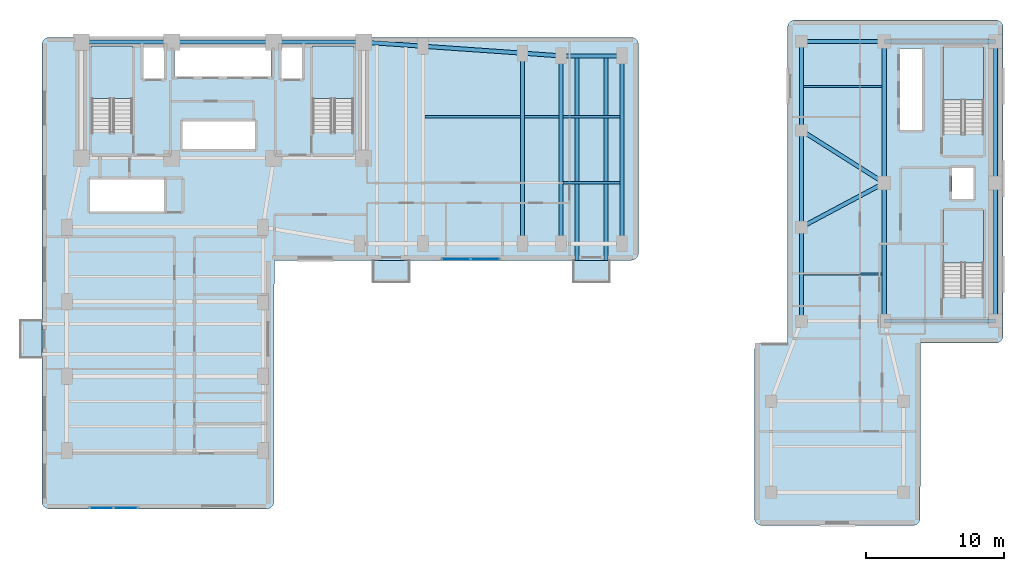
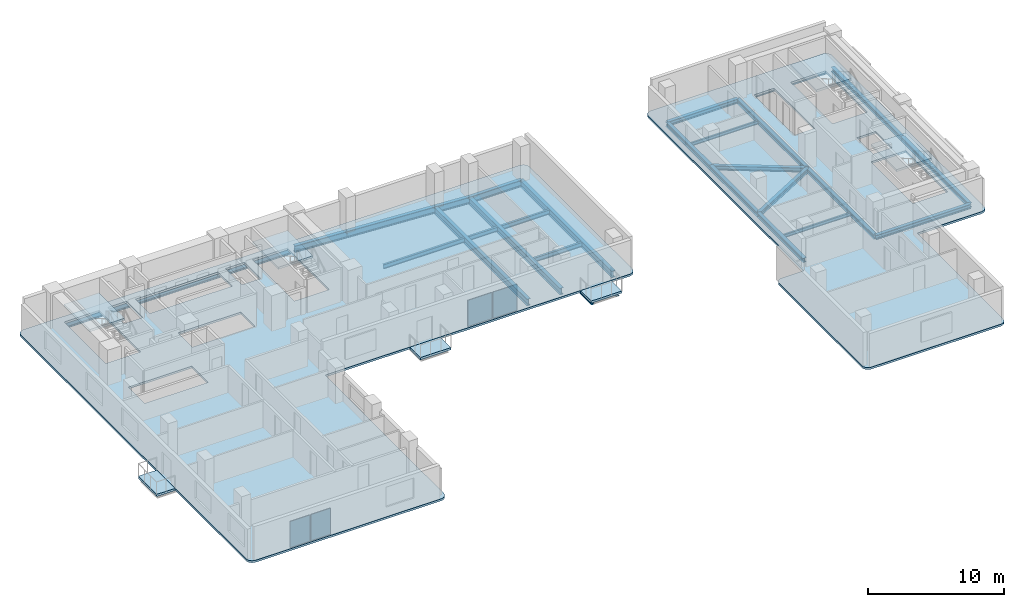
# One storey, part 7 of 14: 30 beams, 9 slabs, 4 plates, 6 elements without a shape of their own.
"""IFC4 building model written with IfcOpenShell, lengths in metres."""

from ifc_helpers import new_model, si_unit, direction, frame, origin, origin_2d, place, context, subcontext, project, spatial, polyline, rectangle, i_section, outline, extrude, material, layer, layer_set, material_profile, profile_set, type_object, element, aggregate, save


model = new_model("IFC4")

# Units and contexts
model_context = context("Model", 3, precision=1e-05, world=origin(), true_north=direction((0.0, 1.0)))
body_context = subcontext(model_context, "Body", "Model", "MODEL_VIEW")
ifc_project = project(units=[si_unit("LENGTHUNIT", "METRE"), si_unit("AREAUNIT", "SQUARE_METRE"), si_unit("VOLUMEUNIT", "CUBIC_METRE"), si_unit("PLANEANGLEUNIT", "RADIAN"), si_unit("MASSUNIT", "GRAM", prefix="KILO")], contexts=[model_context])

# Site, building, storey
site_placement = place(None, origin())
site = spatial("IfcSite", under=ifc_project, at=site_placement, CompositionType="ELEMENT")
building_placement = place(site_placement, origin())
building = spatial("IfcBuilding", under=site, at=building_placement, Name="Kuzgunbayir Cultural Tower", CompositionType="ELEMENT")
storey_placement = place(building_placement, frame((0.0, 0.0, 69.199951171875)))
storey = spatial("IfcBuildingStorey", under=building, at=storey_placement, Name="L19", CompositionType="ELEMENT", Elevation=69.199951171875)

# Beams
ifc_material_1 = material(Name="Steel S355J2", Category="steel")
ifc_material_profile_1 = material_profile(ifc_material_1, i_section(OverallWidth=0.280029296875, OverallDepth=0.280029296875, WebThickness=0.010498046875, FlangeThickness=0.01806640625, FilletRadius=0.02392578125, at=origin_2d()), Name="HEB 280")
ifc_profile_set_1 = profile_set([ifc_material_profile_1], Name="Steel S355J2")
beam_type_1 = type_object("IfcBeamType", Name="BM-BAL-HEB280", PredefinedType="BEAM", material=ifc_profile_set_1)
for number, where, z_axis, x_axis, name in (
    (1, (42.35009765625, 24.9599609375, -0.33984375), (0.0, 1.0, 0.0), (-1.0, 0.0, 0.0), "L19 Balcony Outrigger Beam BAL-L19-WB3.1"),
    (2, (44.449951171875, 24.9599609375, -0.33984375), (0.0, 1.0, 0.0), (-1.0, 0.0, 0.0), "L19 Balcony Outrigger Beam BAL-L19-WB3.2"),
):
    element("IfcBeam", number, at=place(storey_placement, frame(where, z_axis=z_axis, x_axis=x_axis)), inside=storey, type_object=beam_type_1, Name=name, PredefinedType="BEAM", context=body_context, shape_type="SweptSolid", body=[
        extrude(i_section(OverallWidth=0.280029296875, OverallDepth=0.280029296875, WebThickness=0.010498046875, FlangeThickness=0.01806640625, FilletRadius=0.02392578125, at=origin_2d()), origin(), (0.0, 0.0, 1.0), 16.239990234375),
    ])
ifc_material_profile_2 = material_profile(ifc_material_1, i_section(OverallWidth=0.300048828125, OverallDepth=0.39990234375, WebThickness=0.013427734375, FlangeThickness=0.02392578125, FilletRadius=0.027099609375, at=origin_2d()), Name="HEB 400")
ifc_profile_set_2 = profile_set([ifc_material_profile_2], Name="Steel S355J2")
beam_type_2 = type_object("IfcBeamType", Name="BM-EXT-HEB400", PredefinedType="BEAM", material=ifc_profile_set_2)
beam_1_placement = place(storey_placement, frame((58.60009765625, 22.0, -0.3798828125), z_axis=(0.0, 1.0, 0.0), x_axis=(-1.0, 0.0, 0.0)))
element("IfcBeam", 3, at=beam_1_placement, inside=storey, type_object=beam_type_2, Name="L19 Companion West Girder", PredefinedType="BEAM", context=body_context, shape_type="SweptSolid", body=[
    extrude(i_section(OverallWidth=0.300048828125, OverallDepth=0.39990234375, WebThickness=0.013427734375, FlangeThickness=0.02392578125, FilletRadius=0.027099609375, at=origin_2d()), origin(), (0.0, 0.0, 1.0), 6.800048828125),
])
beam_2_placement = place(storey_placement, frame((58.60009765625, 28.800048828125, -0.3798828125), z_axis=(0.0, 1.0, 0.0), x_axis=(-1.0, 0.0, 0.0)))
element("IfcBeam", 4, at=beam_2_placement, inside=storey, type_object=beam_type_2, Name="L19 Companion West Girder", PredefinedType="BEAM", context=body_context, shape_type="SweptSolid", body=[
    extrude(i_section(OverallWidth=0.300048828125, OverallDepth=0.39990234375, WebThickness=0.013427734375, FlangeThickness=0.02392578125, FilletRadius=0.027099609375, at=origin_2d()), origin(), (0.0, 0.0, 1.0), 7.0),
])
beam_3_placement = place(storey_placement, frame((58.60009765625, 35.800048828125, -0.3798828125), z_axis=(0.0, 1.0, 0.0), x_axis=(-1.0, 0.0, 0.0)))
element("IfcBeam", 5, at=beam_3_placement, inside=storey, type_object=beam_type_2, Name="L19 Companion West Girder", PredefinedType="BEAM", context=body_context, shape_type="SweptSolid", body=[
    extrude(i_section(OverallWidth=0.300048828125, OverallDepth=0.39990234375, WebThickness=0.013427734375, FlangeThickness=0.02392578125, FilletRadius=0.027099609375, at=origin_2d()), origin(), (0.0, 0.0, 1.0), 6.449951171875),
])
ifc_material_profile_3 = material_profile(ifc_material_1, i_section(OverallWidth=0.300048828125, OverallDepth=0.60009765625, WebThickness=0.015380859375, FlangeThickness=0.030029296875, FilletRadius=0.027099609375, at=origin_2d()), Name="HEB 600")
ifc_profile_set_3 = profile_set([ifc_material_profile_3], Name="Steel S355J2")
beam_type_3 = type_object("IfcBeamType", Name="BM-EXT-HEB600", PredefinedType="BEAM", material=ifc_profile_set_3)
beam_4_placement = place(storey_placement, frame((26.89990234375, 42.199951171875, -0.47998046875), z_axis=(0.997574369175, -0.069608749203, 0.0), x_axis=(0.069608749203, 0.997574369175, 0.0)))
element("IfcBeam", 6, at=beam_4_placement, inside=storey, type_object=beam_type_3, Name="L19 Wing B North Girder 1", PredefinedType="BEAM", context=body_context, shape_type="SweptSolid", body=[
    extrude(i_section(OverallWidth=0.300048828125, OverallDepth=0.60009765625, WebThickness=0.015380859375, FlangeThickness=0.030029296875, FilletRadius=0.027099609375, at=origin_2d()), origin(), (0.0, 0.0, 1.0), 4.310546875),
])
beam_5_placement = place(storey_placement, frame((31.199951171875, 41.89990234375, -0.47998046875), z_axis=(0.997597388498, -0.069278066245, 0.0), x_axis=(0.069278066245, 0.997597388498, 0.0)))
element("IfcBeam", 7, at=beam_5_placement, inside=storey, type_object=beam_type_3, Name="L19 Wing B North Girder 2", PredefinedType="BEAM", context=body_context, shape_type="SweptSolid", body=[
    extrude(i_section(OverallWidth=0.300048828125, OverallDepth=0.60009765625, WebThickness=0.015380859375, FlangeThickness=0.030029296875, FilletRadius=0.027099609375, at=origin_2d()), origin(), (0.0, 0.0, 1.0), 7.21728515625),
])
beam_6_placement = place(storey_placement, frame((38.39990234375, 41.39990234375, -0.47998046875), z_axis=(0.997460024076, -0.071228508128, 0.0), x_axis=(0.071228508128, 0.997460024076, 0.0)))
element("IfcBeam", 8, at=beam_6_placement, inside=storey, type_object=beam_type_3, Name="L19 Wing B North Girder 3", PredefinedType="BEAM", context=body_context, shape_type="SweptSolid", body=[
    extrude(i_section(OverallWidth=0.300048828125, OverallDepth=0.60009765625, WebThickness=0.015380859375, FlangeThickness=0.030029296875, FilletRadius=0.027099609375, at=origin_2d()), origin(), (0.0, 0.0, 1.0), 2.80712890625),
])
beam_7_placement = place(storey_placement, frame((41.199951171875, 41.199951171875, -0.47998046875), z_axis=(1.0, 0.0, 0.0), x_axis=(0.0, 1.0, 0.0)))
element("IfcBeam", 9, at=beam_7_placement, inside=storey, type_object=beam_type_3, Name="L19 Wing B North Girder 4", PredefinedType="BEAM", context=body_context, shape_type="SweptSolid", body=[
    extrude(i_section(OverallWidth=0.300048828125, OverallDepth=0.60009765625, WebThickness=0.015380859375, FlangeThickness=0.030029296875, FilletRadius=0.027099609375, at=origin_2d()), origin(), (0.0, 0.0, 1.0), 4.400146484375),
])
ifc_material_profile_4 = material_profile(ifc_material_1, i_section(OverallWidth=0.300048828125, OverallDepth=0.39990234375, WebThickness=0.013427734375, FlangeThickness=0.02392578125, FilletRadius=0.027099609375, at=origin_2d()), Name="HEB 400")
ifc_profile_set_4 = profile_set([ifc_material_profile_4], Name="Steel S355J2")
beam_type_4 = type_object("IfcBeamType", Name="BM-GIR-HEB400", PredefinedType="BEAM", material=ifc_profile_set_4)
beam_8_placement = place(storey_placement, frame((58.60009765625, 28.800048828125, -0.3798828125), z_axis=(0.882355922736, 0.470582644828, 0.0), x_axis=(-0.470582644828, 0.882355922736, 0.0)))
element("IfcBeam", 10, at=beam_8_placement, inside=storey, type_object=beam_type_4, Name="L19 Companion Transverse Girder 2", PredefinedType="BEAM", context=body_context, shape_type="SweptSolid", body=[
    extrude(i_section(OverallWidth=0.300048828125, OverallDepth=0.39990234375, WebThickness=0.013427734375, FlangeThickness=0.02392578125, FilletRadius=0.027099609375, at=origin_2d()), origin(), (0.0, 0.0, 1.0), 6.800048828125),
])
beam_9_placement = place(storey_placement, frame((58.60009765625, 35.800048828125, -0.3798828125), z_axis=(0.844815967829, -0.535056988088, 0.0), x_axis=(0.535056988088, 0.844815967829, 0.0)))
element("IfcBeam", 11, at=beam_9_placement, inside=storey, type_object=beam_type_4, Name="L19 Companion Transverse Girder 3", PredefinedType="BEAM", context=body_context, shape_type="SweptSolid", body=[
    extrude(i_section(OverallWidth=0.300048828125, OverallDepth=0.39990234375, WebThickness=0.013427734375, FlangeThickness=0.02392578125, FilletRadius=0.027099609375, at=origin_2d()), origin(), (0.0, 0.0, 1.0), 7.10205078125),
])
beam_10_placement = place(storey_placement, frame((58.60009765625, 42.25, -0.3798828125), z_axis=(1.0, 0.0, 0.0), x_axis=(0.0, 1.0, 0.0)))
element("IfcBeam", 12, at=beam_10_placement, inside=storey, type_object=beam_type_4, Name="L19 Companion Transverse Girder 4", PredefinedType="BEAM", context=body_context, shape_type="SweptSolid", body=[
    extrude(i_section(OverallWidth=0.300048828125, OverallDepth=0.39990234375, WebThickness=0.013427734375, FlangeThickness=0.02392578125, FilletRadius=0.027099609375, at=origin_2d()), origin(), (0.0, 0.0, 1.0), 6.0),
])
beam_11_placement = place(storey_placement, frame((64.60009765625, 22.0, -0.3798828125), z_axis=(0.0, 1.0, 0.0), x_axis=(-1.0, 0.0, 0.0)))
element("IfcBeam", 13, at=beam_11_placement, inside=storey, type_object=beam_type_4, Name="L19 Companion Core West Girder 1", PredefinedType="BEAM", context=body_context, shape_type="SweptSolid", body=[
    extrude(i_section(OverallWidth=0.300048828125, OverallDepth=0.39990234375, WebThickness=0.013427734375, FlangeThickness=0.02392578125, FilletRadius=0.027099609375, at=origin_2d()), origin(), (0.0, 0.0, 1.0), 10.0),
])
beam_12_placement = place(storey_placement, frame((64.60009765625, 32.0, -0.3798828125), z_axis=(0.0, 1.0, 0.0), x_axis=(-1.0, 0.0, 0.0)))
element("IfcBeam", 14, at=beam_12_placement, inside=storey, type_object=beam_type_4, Name="L19 Companion Core West Girder 2", PredefinedType="BEAM", context=body_context, shape_type="SweptSolid", body=[
    extrude(i_section(OverallWidth=0.300048828125, OverallDepth=0.39990234375, WebThickness=0.013427734375, FlangeThickness=0.02392578125, FilletRadius=0.027099609375, at=origin_2d()), origin(), (0.0, 0.0, 1.0), 10.25),
])
beam_13_placement = place(storey_placement, frame((72.64990234375, 22.0, -0.3798828125), z_axis=(0.0, 1.0, 0.0), x_axis=(-1.0, 0.0, 0.0)))
element("IfcBeam", 15, at=beam_13_placement, inside=storey, type_object=beam_type_4, Name="L19 Companion Core East Girder 1", PredefinedType="BEAM", context=body_context, shape_type="SweptSolid", body=[
    extrude(i_section(OverallWidth=0.300048828125, OverallDepth=0.39990234375, WebThickness=0.013427734375, FlangeThickness=0.02392578125, FilletRadius=0.027099609375, at=origin_2d()), origin(), (0.0, 0.0, 1.0), 10.0),
])
beam_14_placement = place(storey_placement, frame((72.64990234375, 32.0, -0.3798828125), z_axis=(0.0, 1.0, 0.0), x_axis=(-1.0, 0.0, 0.0)))
element("IfcBeam", 16, at=beam_14_placement, inside=storey, type_object=beam_type_4, Name="L19 Companion Core East Girder 2", PredefinedType="BEAM", context=body_context, shape_type="SweptSolid", body=[
    extrude(i_section(OverallWidth=0.300048828125, OverallDepth=0.39990234375, WebThickness=0.013427734375, FlangeThickness=0.02392578125, FilletRadius=0.027099609375, at=origin_2d()), origin(), (0.0, 0.0, 1.0), 10.25),
])
for number, where, z_axis, x_axis, name in (
    (17, (64.60009765625, 22.0, -0.3798828125), (1.0, 0.0, 0.0), (0.0, 1.0, 0.0), "L19 Companion Core South Girder"),
    (18, (64.60009765625, 42.25, -0.3798828125), (1.0, 0.0, 0.0), (0.0, 1.0, 0.0), "L19 Companion Core North Girder"),
):
    element("IfcBeam", number, at=place(storey_placement, frame(where, z_axis=z_axis, x_axis=x_axis)), inside=storey, type_object=beam_type_4, Name=name, PredefinedType="BEAM", context=body_context, shape_type="SweptSolid", body=[
        extrude(i_section(OverallWidth=0.300048828125, OverallDepth=0.39990234375, WebThickness=0.013427734375, FlangeThickness=0.02392578125, FilletRadius=0.027099609375, at=origin_2d()), origin(), (0.0, 0.0, 1.0), 8.0498046875),
    ])
ifc_material_profile_5 = material_profile(ifc_material_1, i_section(OverallWidth=0.300048828125, OverallDepth=0.60009765625, WebThickness=0.015380859375, FlangeThickness=0.030029296875, FilletRadius=0.027099609375, at=origin_2d()), Name="HEB 600")
ifc_profile_set_5 = profile_set([ifc_material_profile_5], Name="Steel S355J2")
beam_type_5 = type_object("IfcBeamType", Name="BM-GIR-HEB600", PredefinedType="BEAM", material=ifc_profile_set_5)
beam_15_placement = place(storey_placement, frame((6.449951171875, 42.199951171875, -0.47998046875), z_axis=(1.0, 0.0, 0.0), x_axis=(0.0, 1.0, 0.0)))
element("IfcBeam", 19, at=beam_15_placement, inside=storey, type_object=beam_type_5, Name="L19 Core North Girder 1", PredefinedType="BEAM", context=body_context, shape_type="SweptSolid", body=[
    extrude(i_section(OverallWidth=0.300048828125, OverallDepth=0.60009765625, WebThickness=0.015380859375, FlangeThickness=0.030029296875, FilletRadius=0.027099609375, at=origin_2d()), origin(), (0.0, 0.0, 1.0), 6.550048828125),
])
beam_16_placement = place(storey_placement, frame((13.0, 42.199951171875, -0.47998046875), z_axis=(1.0, 0.0, 0.0), x_axis=(0.0, 1.0, 0.0)))
element("IfcBeam", 20, at=beam_16_placement, inside=storey, type_object=beam_type_5, Name="L19 Core North Girder 2", PredefinedType="BEAM", context=body_context, shape_type="SweptSolid", body=[
    extrude(i_section(OverallWidth=0.300048828125, OverallDepth=0.60009765625, WebThickness=0.015380859375, FlangeThickness=0.030029296875, FilletRadius=0.027099609375, at=origin_2d()), origin(), (0.0, 0.0, 1.0), 7.39990234375),
])
beam_17_placement = place(storey_placement, frame((20.39990234375, 42.199951171875, -0.47998046875), z_axis=(1.0, 0.0, 0.0), x_axis=(0.0, 1.0, 0.0)))
element("IfcBeam", 21, at=beam_17_placement, inside=storey, type_object=beam_type_5, Name="L19 Core North Girder 3", PredefinedType="BEAM", context=body_context, shape_type="SweptSolid", body=[
    extrude(i_section(OverallWidth=0.300048828125, OverallDepth=0.60009765625, WebThickness=0.015380859375, FlangeThickness=0.030029296875, FilletRadius=0.027099609375, at=origin_2d()), origin(), (0.0, 0.0, 1.0), 6.5),
])
beam_18_placement = place(storey_placement, frame((38.39990234375, 27.60009765625, -0.47998046875), z_axis=(0.0, 1.0, 0.0), x_axis=(-1.0, 0.0, 0.0)))
element("IfcBeam", 22, at=beam_18_placement, inside=storey, type_object=beam_type_5, Name="L19 Wing B Cross Girder 38", PredefinedType="BEAM", context=body_context, shape_type="SweptSolid", body=[
    extrude(i_section(OverallWidth=0.300048828125, OverallDepth=0.60009765625, WebThickness=0.015380859375, FlangeThickness=0.030029296875, FilletRadius=0.027099609375, at=origin_2d()), origin(), (0.0, 0.0, 1.0), 13.7998046875),
])
for number, where, z_axis, x_axis, name in (
    (23, (41.199951171875, 27.60009765625, -0.47998046875), (0.0, 1.0, 0.0), (-1.0, 0.0, 0.0), "L19 Wing B Cross Girder 41"),
    (24, (45.60009765625, 27.60009765625, -0.47998046875), (0.0, 1.0, 0.0), (-1.0, 0.0, 0.0), "L19 Wing B Cross Girder 45"),
):
    element("IfcBeam", number, at=place(storey_placement, frame(where, z_axis=z_axis, x_axis=x_axis)), inside=storey, type_object=beam_type_5, Name=name, PredefinedType="BEAM", context=body_context, shape_type="SweptSolid", body=[
        extrude(i_section(OverallWidth=0.300048828125, OverallDepth=0.60009765625, WebThickness=0.015380859375, FlangeThickness=0.030029296875, FilletRadius=0.027099609375, at=origin_2d()), origin(), (0.0, 0.0, 1.0), 13.599853515625),
    ])
ifc_material_profile_6 = material_profile(ifc_material_1, i_section(OverallWidth=0.14990234375, OverallDepth=0.300048828125, WebThickness=0.007080078125, FlangeThickness=0.0107421875, FilletRadius=0.014892578125, at=origin_2d()), Name="IPE 300")
ifc_profile_set_6 = profile_set([ifc_material_profile_6], Name="Steel S355J2")
beam_type_6 = type_object("IfcBeamType", Name="BM-JST-IPE300", PredefinedType="JOIST", material=ifc_profile_set_6)
for number, where, z_axis, x_axis, name in (
    (25, (58.75, 25.39990234375, -0.329833984375), (1.0, 0.0, 0.0), (0.0, 1.0, 0.0), "L19 Companion Joist"),
    (26, (58.75, 39.0, -0.329833984375), (1.0, 0.0, 0.0), (0.0, 1.0, 0.0), "L19 Companion Joist"),
):
    element("IfcBeam", number, at=place(storey_placement, frame(where, z_axis=z_axis, x_axis=x_axis)), inside=storey, type_object=beam_type_6, Name=name, PredefinedType="JOIST", context=body_context, shape_type="SweptSolid", body=[
        extrude(i_section(OverallWidth=0.14990234375, OverallDepth=0.300048828125, WebThickness=0.007080078125, FlangeThickness=0.0107421875, FilletRadius=0.014892578125, at=origin_2d()), origin(), (0.0, 0.0, 1.0), 5.699951171875),
    ])
ifc_material_profile_7 = material_profile(ifc_material_1, i_section(OverallWidth=0.179931640625, OverallDepth=0.39990234375, WebThickness=0.008544921875, FlangeThickness=0.013427734375, FilletRadius=0.02099609375, at=origin_2d()), Name="IPE 400")
ifc_profile_set_7 = profile_set([ifc_material_profile_7], Name="Steel S355J2")
beam_type_7 = type_object("IfcBeamType", Name="BM-JST-IPE400", PredefinedType="JOIST", material=ifc_profile_set_7)
beam_19_placement = place(storey_placement, frame((31.35009765625, 36.800048828125, -0.3798828125), z_axis=(1.0, 0.0, 0.0), x_axis=(0.0, 1.0, 0.0)))
element("IfcBeam", 27, at=beam_19_placement, inside=storey, type_object=beam_type_7, Name="L19 Wing B Secondary Joist 1.2", PredefinedType="JOIST", context=body_context, shape_type="SweptSolid", body=[
    extrude(i_section(OverallWidth=0.179931640625, OverallDepth=0.39990234375, WebThickness=0.008544921875, FlangeThickness=0.013427734375, FilletRadius=0.02099609375, at=origin_2d()), origin(), (0.0, 0.0, 1.0), 6.89990234375),
])
beam_20_placement = place(storey_placement, frame((38.550048828125, 36.800048828125, -0.3798828125), z_axis=(1.0, 0.0, 0.0), x_axis=(0.0, 1.0, 0.0)))
element("IfcBeam", 28, at=beam_20_placement, inside=storey, type_object=beam_type_7, Name="L19 Wing B Secondary Joist 2.2", PredefinedType="JOIST", context=body_context, shape_type="SweptSolid", body=[
    extrude(i_section(OverallWidth=0.179931640625, OverallDepth=0.39990234375, WebThickness=0.008544921875, FlangeThickness=0.013427734375, FilletRadius=0.02099609375, at=origin_2d()), origin(), (0.0, 0.0, 1.0), 2.5),
])
for number, where, z_axis, x_axis, name in (
    (29, (41.35009765625, 32.0, -0.3798828125), (1.0, 0.0, 0.0), (0.0, 1.0, 0.0), "L19 Wing B Secondary Joist 3.1"),
    (30, (41.35009765625, 36.800048828125, -0.3798828125), (1.0, 0.0, 0.0), (0.0, 1.0, 0.0), "L19 Wing B Secondary Joist 3.2"),
):
    element("IfcBeam", number, at=place(storey_placement, frame(where, z_axis=z_axis, x_axis=x_axis)), inside=storey, type_object=beam_type_7, Name=name, PredefinedType="JOIST", context=body_context, shape_type="SweptSolid", body=[
        extrude(i_section(OverallWidth=0.179931640625, OverallDepth=0.39990234375, WebThickness=0.008544921875, FlangeThickness=0.013427734375, FilletRadius=0.02099609375, at=origin_2d()), origin(), (0.0, 0.0, 1.0), 4.099853515625),
    ])

# Curtain wall, plates
ifc_material_2 = material(Name="Anodised Aluminium Framing", Category="aluminium")
curtain_wall_type = type_object("IfcCurtainWallType", Name="CW03-T1-OFFICE", PredefinedType="NOTDEFINED", material=ifc_material_2)
curtain_wall_1_placement = place(storey_placement, origin())
curtain_wall_1 = element("IfcCurtainWall", 31, at=curtain_wall_1_placement, inside=storey, type_object=curtain_wall_type, Name="L19 Wing A South Feature Curtain Wall", PredefinedType="NOTDEFINED")
ifc_material_3 = material(Name="Solar-Control Triple Glazing", Category="glass")
ifc_layer_1 = layer(ifc_material_3, 0.035888671875)
ifc_layer_set_1 = layer_set([ifc_layer_1], Name="Solar-Control Triple Glazing")
plate_type = type_object("IfcPlateType", Name="PLT-CW-GLASS-36", PredefinedType="CURTAIN_PANEL", material=ifc_layer_set_1)
plate_1_placement = place(storey_placement, frame((7.918701171875, 8.47998046875, 0.06005859375), z_axis=(0.0, 0.0, 1.0), x_axis=(1.0, 0.0, 0.0)))
plate_1 = element("IfcPlate", 32, at=plate_1_placement, type_object=plate_type, Name="CW03 panel 1.1", PredefinedType="CURTAIN_PANEL", context=body_context, shape_type="SweptSolid", body=[
    extrude(rectangle(XDim=1.6875, YDim=0.035888671875, at=origin_2d()), origin(), (0.0, 0.0, 1.0), 2.35009765625),
])
plate_2_placement = place(storey_placement, frame((9.68115234375, 8.47998046875, 0.06005859375), z_axis=(0.0, 0.0, 1.0), x_axis=(1.0, 0.0, 0.0)))
plate_2 = element("IfcPlate", 33, at=plate_2_placement, type_object=plate_type, Name="CW03 panel 2.1", PredefinedType="CURTAIN_PANEL", context=body_context, shape_type="SweptSolid", body=[
    extrude(rectangle(XDim=1.6875, YDim=0.035888671875, at=origin_2d()), origin(), (0.0, 0.0, 1.0), 2.35009765625),
])
aggregate(curtain_wall_1, [plate_1, plate_2])

curtain_wall_2_placement = place(storey_placement, origin())
curtain_wall_2 = element("IfcCurtainWall", 34, at=curtain_wall_2_placement, inside=storey, type_object=curtain_wall_type, Name="L19 Wing B South Feature Curtain Wall", PredefinedType="NOTDEFINED")
plate_3_placement = place(storey_placement, frame((33.59375, 26.47998046875, 0.06005859375), z_axis=(0.0, 0.0, 1.0), x_axis=(1.0, 0.0, 0.0)))
plate_3 = element("IfcPlate", 35, at=plate_3_placement, type_object=plate_type, Name="CW03 panel 1.1", PredefinedType="CURTAIN_PANEL", context=body_context, shape_type="SweptSolid", body=[
    extrude(rectangle(XDim=2.03759765625, YDim=0.035888671875, at=origin_2d()), origin(), (0.0, 0.0, 1.0), 2.35009765625),
])
plate_4_placement = place(storey_placement, frame((35.706298828125, 26.47998046875, 0.06005859375), z_axis=(0.0, 0.0, 1.0), x_axis=(1.0, 0.0, 0.0)))
plate_4 = element("IfcPlate", 36, at=plate_4_placement, type_object=plate_type, Name="CW03 panel 2.1", PredefinedType="CURTAIN_PANEL", context=body_context, shape_type="SweptSolid", body=[
    extrude(rectangle(XDim=2.03759765625, YDim=0.035888671875, at=origin_2d()), origin(), (0.0, 0.0, 1.0), 2.35009765625),
])
aggregate(curtain_wall_2, [plate_3, plate_4])

# Slabs
ifc_material_4 = material(Name="Concrete C40/50", Category="concrete")
ifc_layer_2 = layer(ifc_material_4, 0.199951171875)
ifc_layer_set_2 = layer_set([ifc_layer_2], Name="Concrete C40/50")
slab_type_1 = type_object("IfcSlabType", Name="SLB-BAL-STONE", PredefinedType="FLOOR", material=ifc_layer_set_2)
slab_1_placement = place(storey_placement, frame((0.0, 0.0, -0.199951171875)))
element("IfcSlab", 37, at=slab_1_placement, inside=storey, type_object=slab_type_1, Name="L19 Projecting Limestone Balcony BAL-L19-WA2", PredefinedType="FLOOR", context=body_context, shape_type="SweptSolid", body=[
    extrude(outline(polyline([(2.0400390625, 19.35009765625), (3.60009765625, 19.35009765625), (3.60009765625, 22.050048828125), (2.0400390625, 22.050048828125), (2.0400390625, 19.35009765625)])), origin(), (0.0, 0.0, 1.0), 0.199951171875),
])
slab_2_placement = place(storey_placement, frame((0.0, 0.0, -0.199951171875)))
element("IfcSlab", 38, at=slab_2_placement, inside=storey, type_object=slab_type_1, Name="L19 Projecting Limestone Balcony BAL-L19-WB1", PredefinedType="FLOOR", context=body_context, shape_type="SweptSolid", body=[
    extrude(outline(polyline([(27.60009765625, 24.840087890625), (30.199951171875, 24.840087890625), (30.199951171875, 26.39990234375), (27.60009765625, 26.39990234375), (27.60009765625, 24.840087890625)])), origin(), (0.0, 0.0, 1.0), 0.199951171875),
])
slab_3_placement = place(storey_placement, frame((0.0, 0.0, -0.199951171875)))
element("IfcSlab", 39, at=slab_3_placement, inside=storey, type_object=slab_type_1, Name="L19 Projecting Limestone Balcony BAL-L19-WB3", PredefinedType="FLOOR", context=body_context, shape_type="SweptSolid", body=[
    extrude(outline(polyline([(42.10009765625, 24.840087890625), (44.699951171875, 24.840087890625), (44.699951171875, 26.39990234375), (42.10009765625, 26.39990234375), (42.10009765625, 24.840087890625)])), origin(), (0.0, 0.0, 1.0), 0.199951171875),
])

# Stair, slab
stair_type = type_object("IfcStairType", Name="STR-EXIT-CORE", PredefinedType="HALF_TURN_STAIR", material=ifc_material_4)
stair_1_placement = place(storey_placement, origin())
stair_1 = element("IfcStair", 40, at=stair_1_placement, inside=storey, type_object=stair_type, Name="L19 ST-1", PredefinedType="HALF_TURN_STAIR")
ifc_layer_3 = layer(ifc_material_4, 0.179931640625)
ifc_layer_set_3 = layer_set([ifc_layer_3], Name="Concrete C40/50")
slab_type_2 = type_object("IfcSlabType", Name="SLB-LANDING-180", PredefinedType="LANDING", material=ifc_layer_set_3)
slab_4_placement = place(storey_placement, frame((0.0, 0.0, 1.400146484375)))
slab_4 = element("IfcSlab", 41, at=slab_4_placement, type_object=slab_type_2, Name="ST-1 landing 1", PredefinedType="LANDING", context=body_context, shape_type="SweptSolid", body=[
    extrude(outline(polyline([(10.159912109375, 38.1201171875), (10.159912109375, 41.89990234375), (7.199951171875, 41.89990234375), (7.199951171875, 38.1201171875), (10.159912109375, 38.1201171875)])), origin(), (0.0, 0.0, 1.0), 0.199951171875),
])
aggregate(stair_1, [slab_4])

stair_2_placement = place(storey_placement, origin())
stair_2 = element("IfcStair", 42, at=stair_2_placement, inside=storey, type_object=stair_type, Name="L19 ST-2", PredefinedType="HALF_TURN_STAIR")
slab_5_placement = place(storey_placement, frame((0.0, 0.0, 1.400146484375)))
slab_5 = element("IfcSlab", 43, at=slab_5_placement, type_object=slab_type_2, Name="ST-2 landing 1", PredefinedType="LANDING", context=body_context, shape_type="SweptSolid", body=[
    extrude(outline(polyline([(26.159912109375, 38.1201171875), (26.159912109375, 41.89990234375), (23.199951171875, 41.89990234375), (23.199951171875, 38.1201171875), (26.159912109375, 38.1201171875)])), origin(), (0.0, 0.0, 1.0), 0.199951171875),
])
aggregate(stair_2, [slab_5])

stair_3_placement = place(storey_placement, origin())
stair_3 = element("IfcStair", 44, at=stair_3_placement, inside=storey, type_object=stair_type, Name="L19 ST-3", PredefinedType="HALF_TURN_STAIR")
slab_6_placement = place(storey_placement, frame((0.0, 0.0, 1.400146484375)))
slab_6 = element("IfcSlab", 45, at=slab_6_placement, type_object=slab_type_2, Name="ST-3 landing 1", PredefinedType="LANDING", context=body_context, shape_type="SweptSolid", body=[
    extrude(outline(polyline([(71.800048828125, 26.219970703125), (71.800048828125, 30.0), (68.840087890625, 30.0), (68.840087890625, 26.219970703125), (71.800048828125, 26.219970703125)])), origin(), (0.0, 0.0, 1.0), 0.199951171875),
])
aggregate(stair_3, [slab_6])

stair_4_placement = place(storey_placement, origin())
stair_4 = element("IfcStair", 46, at=stair_4_placement, inside=storey, type_object=stair_type, Name="L19 ST-4", PredefinedType="HALF_TURN_STAIR")
slab_7_placement = place(storey_placement, frame((0.0, 0.0, 1.400146484375)))
slab_7 = element("IfcSlab", 47, at=slab_7_placement, type_object=slab_type_2, Name="ST-4 landing 1", PredefinedType="LANDING", context=body_context, shape_type="SweptSolid", body=[
    extrude(outline(polyline([(71.800048828125, 38.02001953125), (71.800048828125, 41.800048828125), (68.840087890625, 41.800048828125), (68.840087890625, 38.02001953125), (71.800048828125, 38.02001953125)])), origin(), (0.0, 0.0, 1.0), 0.199951171875),
])
aggregate(stair_4, [slab_7])

# Slabs
ifc_layer_4 = layer(ifc_material_4, 0.179931640625)
ifc_layer_set_4 = layer_set([ifc_layer_4], Name="Concrete C40/50")
slab_type_3 = type_object("IfcSlabType", Name="SLB-TYP-180", PredefinedType="FLOOR", material=ifc_layer_set_4)
slab_8_placement = place(storey_placement, frame((0.0, 0.0, -0.179931640625)))
element("IfcSlab", 48, at=slab_8_placement, inside=storey, type_object=slab_type_3, Name="L19 Tower 1 Floor Slab T1-MAIN", PredefinedType="FLOOR", context=body_context, shape_type="SweptSolid", body=[
    extrude(outline(polyline([(20.39990234375, 8.949951171875), (20.389892578125, 8.840087890625), (20.360107421875, 8.739990234375), (20.31005859375, 8.639892578125), (20.239990234375, 8.56005859375), (20.159912109375, 8.489990234375), (20.06005859375, 8.43994140625), (19.9599609375, 8.409912109375), (19.85009765625, 8.39990234375), (4.14990234375, 8.39990234375), (4.0400390625, 8.409912109375), (3.93994140625, 8.43994140625), (3.840087890625, 8.489990234375), (3.760009765625, 8.56005859375), (3.68994140625, 8.639892578125), (3.639892578125, 8.739990234375), (3.610107421875, 8.840087890625), (3.60009765625, 8.949951171875), (3.60009765625, 42.0), (3.610107421875, 42.110107421875), (3.639892578125, 42.2099609375), (3.68994140625, 42.31005859375), (3.760009765625, 42.389892578125), (3.840087890625, 42.4599609375), (3.93994140625, 42.510009765625), (4.0400390625, 42.5400390625), (4.14990234375, 42.550048828125), (46.25, 42.550048828125), (46.360107421875, 42.5400390625), (46.4599609375, 42.510009765625), (46.56005859375, 42.4599609375), (46.639892578125, 42.389892578125), (46.7099609375, 42.31005859375), (46.760009765625, 42.2099609375), (46.7900390625, 42.110107421875), (46.800048828125, 42.0), (46.800048828125, 26.949951171875), (46.7900390625, 26.840087890625), (46.760009765625, 26.739990234375), (46.7099609375, 26.639892578125), (46.639892578125, 26.56005859375), (46.56005859375, 26.489990234375), (46.4599609375, 26.43994140625), (46.360107421875, 26.409912109375), (46.25, 26.39990234375), (20.429931640625, 26.39990234375), (20.39990234375, 8.949951171875)]), holes=[polyline([(7.199951171875, 35.760009765625), (7.199951171875, 41.89990234375), (10.159912109375, 41.89990234375), (10.159912109375, 35.760009765625), (7.199951171875, 35.760009765625)]), polyline([(23.199951171875, 35.760009765625), (23.199951171875, 41.89990234375), (26.159912109375, 41.89990234375), (26.159912109375, 35.760009765625), (23.199951171875, 35.760009765625)]), polyline([(13.199951171875, 39.699951171875), (13.199951171875, 41.800048828125), (20.199951171875, 41.800048828125), (20.199951171875, 39.699951171875), (13.199951171875, 39.699951171875)]), polyline([(13.75, 34.39990234375), (13.75, 36.5), (19.080078125, 36.5), (19.080078125, 34.39990234375), (13.75, 34.39990234375)]), polyline([(7.10009765625, 29.89990234375), (7.10009765625, 32.300048828125), (12.5, 32.300048828125), (12.5, 29.89990234375), (7.10009765625, 29.89990234375)]), polyline([(10.89990234375, 39.5), (10.89990234375, 41.89990234375), (12.5, 41.89990234375), (12.5, 39.5), (10.89990234375, 39.5)]), polyline([(20.89990234375, 39.5), (20.89990234375, 41.89990234375), (22.5, 41.89990234375), (22.5, 39.5), (20.89990234375, 39.5)])]), origin(), (0.0, 0.0, 1.0), 0.179931640625),
])
slab_9_placement = place(storey_placement, frame((0.0, 0.0, -0.179931640625)))
element("IfcSlab", 49, at=slab_9_placement, inside=storey, type_object=slab_type_3, Name="L19 Companion Tower 2 Floor Slab", PredefinedType="FLOOR", context=body_context, shape_type="SweptSolid", body=[
    extrude(outline(polyline([(57.60009765625, 20.39990234375), (57.60009765625, 43.25), (57.610107421875, 43.360107421875), (57.639892578125, 43.4599609375), (57.68994140625, 43.56005859375), (57.760009765625, 43.639892578125), (57.840087890625, 43.7099609375), (57.93994140625, 43.760009765625), (58.0400390625, 43.7900390625), (58.14990234375, 43.800048828125), (72.64990234375, 43.800048828125), (72.760009765625, 43.7900390625), (72.860107421875, 43.760009765625), (72.9599609375, 43.7099609375), (73.0400390625, 43.639892578125), (73.110107421875, 43.56005859375), (73.159912109375, 43.4599609375), (73.18994140625, 43.360107421875), (73.199951171875, 43.25), (73.199951171875, 20.949951171875), (73.18994140625, 20.840087890625), (73.159912109375, 20.739990234375), (73.110107421875, 20.639892578125), (73.0400390625, 20.56005859375), (72.9599609375, 20.489990234375), (72.860107421875, 20.43994140625), (72.760009765625, 20.409912109375), (72.64990234375, 20.39990234375), (67.22998046875, 20.39990234375), (67.199951171875, 7.75), (67.18994140625, 7.639892578125), (67.159912109375, 7.5400390625), (67.110107421875, 7.43994140625), (67.0400390625, 7.360107421875), (66.9599609375, 7.2900390625), (66.860107421875, 7.239990234375), (66.760009765625, 7.2099609375), (66.64990234375, 7.199951171875), (55.75, 7.199951171875), (55.639892578125, 7.2099609375), (55.5400390625, 7.239990234375), (55.43994140625, 7.2900390625), (55.360107421875, 7.360107421875), (55.2900390625, 7.43994140625), (55.239990234375, 7.5400390625), (55.2099609375, 7.639892578125), (55.199951171875, 7.75), (55.199951171875, 19.85009765625), (55.2099609375, 19.9599609375), (55.239990234375, 20.06005859375), (55.2900390625, 20.159912109375), (55.360107421875, 20.239990234375), (55.43994140625, 20.31005859375), (55.5400390625, 20.360107421875), (55.639892578125, 20.389892578125), (55.75, 20.39990234375), (57.570068359375, 20.39990234375), (57.60009765625, 20.39990234375)]), holes=[polyline([(68.840087890625, 23.860107421875), (68.840087890625, 30.0), (71.800048828125, 30.0), (71.800048828125, 23.860107421875), (68.840087890625, 23.860107421875)]), polyline([(68.840087890625, 35.659912109375), (68.840087890625, 41.800048828125), (71.800048828125, 41.800048828125), (71.800048828125, 35.659912109375), (68.840087890625, 35.659912109375)]), polyline([(65.699951171875, 35.800048828125), (65.699951171875, 41.75), (67.39990234375, 41.75), (67.39990234375, 35.800048828125), (65.699951171875, 35.800048828125)]), polyline([(69.5, 30.800048828125), (69.5, 33.199951171875), (71.10009765625, 33.199951171875), (71.10009765625, 30.800048828125), (69.5, 30.800048828125)])]), origin(), (0.0, 0.0, 1.0), 0.179931640625),
])

save(model, "model.ifc")
